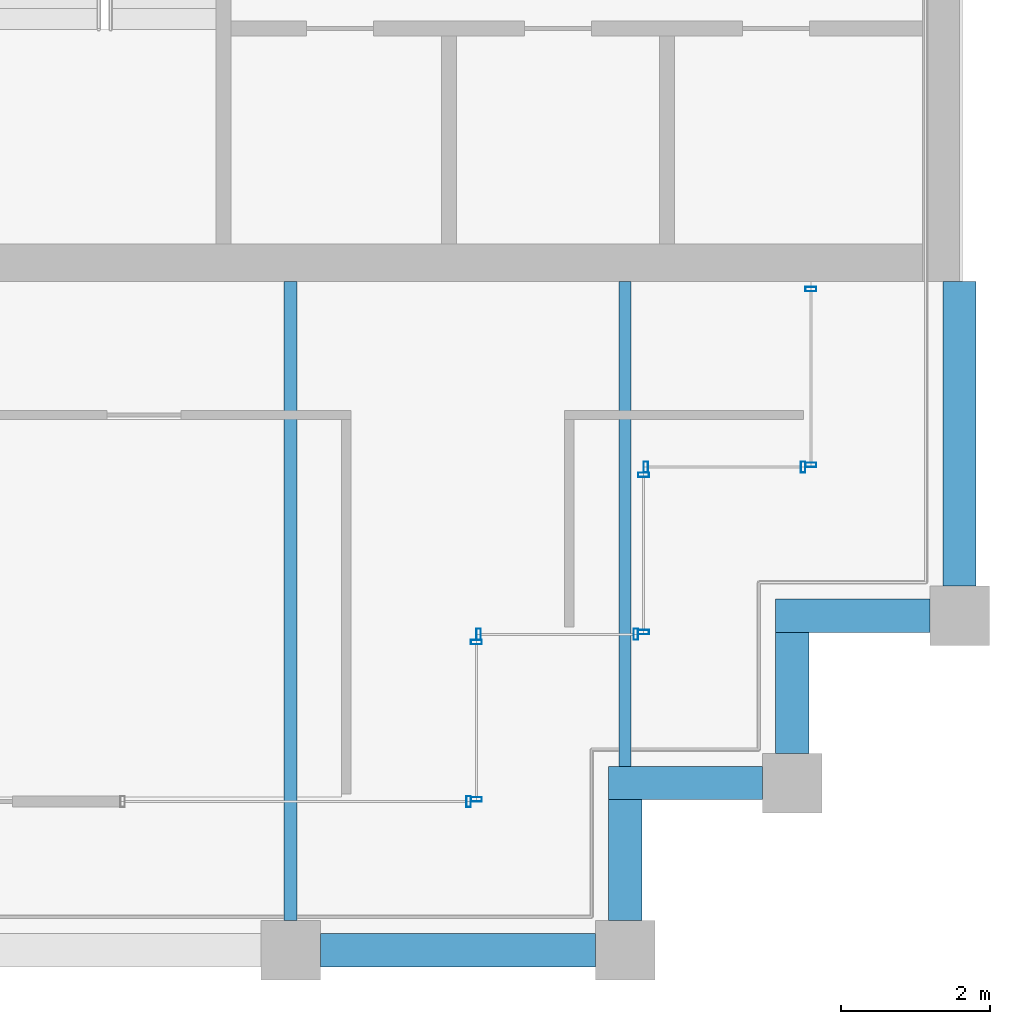
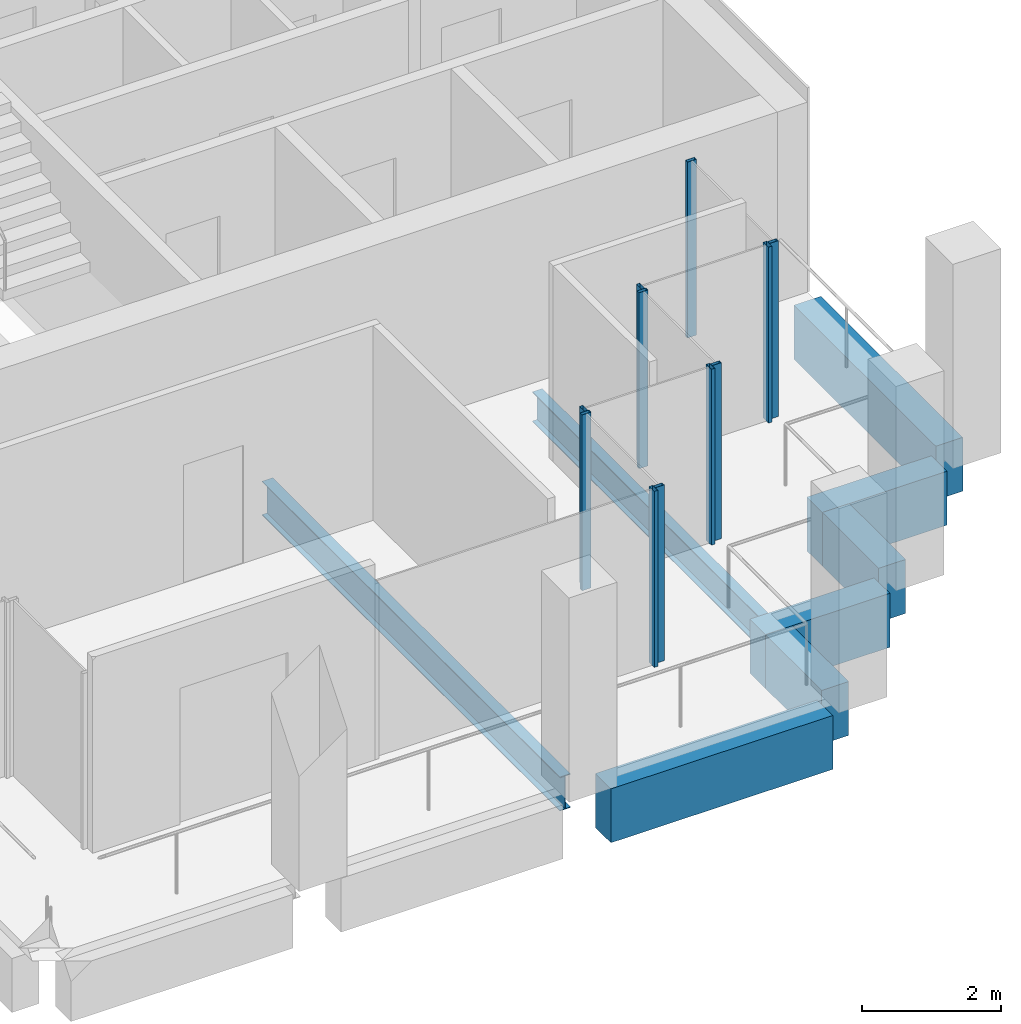
# One storey, part 31 of 40: 11 members, 8 beams, 6 elements without a shape of their own.
"""IFC4 building model written with IfcOpenShell, lengths in metres."""

from ifc_helpers import new_model, si_unit, direction, frame, origin, origin_2d, place, context, subcontext, project, spatial, rectangle, hollow_rectangle, i_section, extrude, material, material_profile, profile_set, type_object, element, aggregate, save


model = new_model("IFC4")

# Units and contexts
model_context = context("Model", 3, precision=1e-05, world=origin(), true_north=direction((0.0, 1.0)))
body_context = subcontext(model_context, "Body", "Model", "MODEL_VIEW")
ifc_project = project(units=[si_unit("LENGTHUNIT", "METRE"), si_unit("AREAUNIT", "SQUARE_METRE"), si_unit("VOLUMEUNIT", "CUBIC_METRE"), si_unit("PLANEANGLEUNIT", "RADIAN"), si_unit("MASSUNIT", "GRAM", prefix="KILO")], contexts=[model_context])

# Site, building, storey
site_placement = place(None, origin())
site = spatial("IfcSite", under=ifc_project, at=site_placement, CompositionType="ELEMENT")
building_placement = place(site_placement, origin())
building = spatial("IfcBuilding", under=site, at=building_placement, Name="Altepetl Exchange Towers", CompositionType="ELEMENT")
storey_placement = place(building_placement, frame((0.0, 0.0, 199.199951171875)))
storey = spatial("IfcBuildingStorey", under=building, at=storey_placement, Name="L50", CompositionType="ELEMENT", Elevation=199.199951171875)

# Beams
ifc_material_1 = material(Name="Steel S355", Category="steel")
ifc_material_profile_1 = material_profile(ifc_material_1, i_section(OverallWidth=0.166015625, OverallDepth=0.529052734375, WebThickness=0.009765625, FlangeThickness=0.013671875, at=origin_2d()), Name="W21X50")
ifc_profile_set_1 = profile_set([ifc_material_profile_1], Name="Steel S355")
beam_type_1 = type_object("IfcBeamType", Name="Floor beam W21X50", PredefinedType="BEAM", material=ifc_profile_set_1)
beam_1_placement = place(storey_placement, frame((112.5, 29.47509765625, -0.41455078125), z_axis=(0.0, 1.0, 0.0), x_axis=(-1.0, 0.0, 0.0)))
element("IfcBeam", 1, at=beam_1_placement, inside=storey, type_object=beam_type_1, Name="bm:B:L50:003", PredefinedType="BEAM", context=body_context, shape_type="SweptSolid", body=[
    extrude(i_section(OverallWidth=0.166015625, OverallDepth=0.529052734375, WebThickness=0.009765625, FlangeThickness=0.013671875, at=origin_2d()), origin(), (0.0, 0.0, 1.0), 6.52490234375),
])
ifc_material_profile_2 = material_profile(ifc_material_1, i_section(OverallWidth=0.177978515625, OverallDepth=0.59912109375, WebThickness=0.010009765625, FlangeThickness=0.0126953125, at=origin_2d()), Name="W24X55")
ifc_profile_set_2 = profile_set([ifc_material_profile_2], Name="Steel S355")
beam_type_2 = type_object("IfcBeamType", Name="Floor beam W24X55", PredefinedType="BEAM", material=ifc_profile_set_2)
beam_2_placement = place(storey_placement, frame((108.0, 27.39990234375, -0.449462890625), z_axis=(0.0, 1.0, 0.0), x_axis=(-1.0, 0.0, 0.0)))
element("IfcBeam", 2, at=beam_2_placement, inside=storey, type_object=beam_type_2, Name="bm:B:L50:002", PredefinedType="BEAM", context=body_context, shape_type="SweptSolid", body=[
    extrude(i_section(OverallWidth=0.177978515625, OverallDepth=0.59912109375, WebThickness=0.010009765625, FlangeThickness=0.0126953125, at=origin_2d()), origin(), (0.0, 0.0, 1.0), 8.60009765625),
])

# Curtain wall, member
ifc_material_2 = material(Name="Aluminium 6063-T6 glazing", Category="aluminium")
curtain_wall_type = type_object("IfcCurtainWallType", Name="Loggia glazing system", PredefinedType="NOTDEFINED", material=ifc_material_2)
curtain_wall_1_placement = place(storey_placement, origin())
curtain_wall_1 = element("IfcCurtainWall", 3, at=curtain_wall_1_placement, inside=storey, type_object=curtain_wall_type, Name="CW1 run", PredefinedType="NOTDEFINED")
ifc_material_3 = material(Name="Aluminium 6063-T6", Category="aluminium")
ifc_material_profile_3 = material_profile(ifc_material_3, hollow_rectangle(XDim=0.06005859375, YDim=0.14990234375, WallThickness=0.0029296875, at=origin_2d()), Name="Mullion 60x150 aluminium")
ifc_profile_set_3 = profile_set([ifc_material_profile_3], Name="Aluminium 6063-T6")
member_type = type_object("IfcMemberType", Name="Mullion 60x150 aluminium", PredefinedType="MULLION", material=ifc_profile_set_3)
member_1_placement = place(storey_placement, frame((110.39501953125, 29.0, 0.0)))
member_1 = element("IfcMember", 4, at=member_1_placement, type_object=member_type, Name="MU1 mullion", PredefinedType="MULLION", context=body_context, shape_type="SweptSolid", body=[
    extrude(hollow_rectangle(XDim=0.06005859375, YDim=0.14990234375, WallThickness=0.0029296875, at=origin_2d()), origin(), (0.0, 0.0, 1.0), 3.10009765625),
])
aggregate(curtain_wall_1, [member_1])

# Curtain wall, members
curtain_wall_2_placement = place(storey_placement, origin())
curtain_wall_2 = element("IfcCurtainWall", 5, at=curtain_wall_2_placement, inside=storey, type_object=curtain_wall_type, Name="CW1 run", PredefinedType="NOTDEFINED")
member_2_placement = place(storey_placement, frame((110.5, 29.030029296875, 0.0), z_axis=(0.0, 0.0, 1.0), x_axis=(0.0, 1.0, 0.0)))
member_2 = element("IfcMember", 6, at=member_2_placement, type_object=member_type, Name="MU1 mullion", PredefinedType="MULLION", context=body_context, shape_type="SweptSolid", body=[
    extrude(hollow_rectangle(XDim=0.06005859375, YDim=0.14990234375, WallThickness=0.0029296875, at=origin_2d()), origin(), (0.0, 0.0, 1.0), 3.10009765625),
])
member_3_placement = place(storey_placement, frame((110.5, 31.14501953125, 0.0), z_axis=(0.0, 0.0, 1.0), x_axis=(0.0, 1.0, 0.0)))
member_3 = element("IfcMember", 7, at=member_3_placement, type_object=member_type, Name="MU1 mullion", PredefinedType="MULLION", context=body_context, shape_type="SweptSolid", body=[
    extrude(hollow_rectangle(XDim=0.06005859375, YDim=0.14990234375, WallThickness=0.0029296875, at=origin_2d()), origin(), (0.0, 0.0, 1.0), 3.10009765625),
])
aggregate(curtain_wall_2, [member_2, member_3])

curtain_wall_3_placement = place(storey_placement, origin())
curtain_wall_3 = element("IfcCurtainWall", 8, at=curtain_wall_3_placement, inside=storey, type_object=curtain_wall_type, Name="CW1 run", PredefinedType="NOTDEFINED")
member_4_placement = place(storey_placement, frame((110.530029296875, 31.25, 0.0)))
member_4 = element("IfcMember", 9, at=member_4_placement, type_object=member_type, Name="MU1 mullion", PredefinedType="MULLION", context=body_context, shape_type="SweptSolid", body=[
    extrude(hollow_rectangle(XDim=0.06005859375, YDim=0.14990234375, WallThickness=0.0029296875, at=origin_2d()), origin(), (0.0, 0.0, 1.0), 3.10009765625),
])
member_5_placement = place(storey_placement, frame((112.64501953125, 31.25, 0.0)))
member_5 = element("IfcMember", 10, at=member_5_placement, type_object=member_type, Name="MU1 mullion", PredefinedType="MULLION", context=body_context, shape_type="SweptSolid", body=[
    extrude(hollow_rectangle(XDim=0.06005859375, YDim=0.14990234375, WallThickness=0.0029296875, at=origin_2d()), origin(), (0.0, 0.0, 1.0), 3.10009765625),
])
aggregate(curtain_wall_3, [member_4, member_5])

curtain_wall_4_placement = place(storey_placement, origin())
curtain_wall_4 = element("IfcCurtainWall", 11, at=curtain_wall_4_placement, inside=storey, type_object=curtain_wall_type, Name="CW1 run", PredefinedType="NOTDEFINED")
member_6_placement = place(storey_placement, frame((112.75, 31.280029296875, 0.0), z_axis=(0.0, 0.0, 1.0), x_axis=(0.0, 1.0, 0.0)))
member_6 = element("IfcMember", 12, at=member_6_placement, type_object=member_type, Name="MU1 mullion", PredefinedType="MULLION", context=body_context, shape_type="SweptSolid", body=[
    extrude(hollow_rectangle(XDim=0.06005859375, YDim=0.14990234375, WallThickness=0.0029296875, at=origin_2d()), origin(), (0.0, 0.0, 1.0), 3.10009765625),
])
member_7_placement = place(storey_placement, frame((112.75, 33.39501953125, 0.0), z_axis=(0.0, 0.0, 1.0), x_axis=(0.0, 1.0, 0.0)))
member_7 = element("IfcMember", 13, at=member_7_placement, type_object=member_type, Name="MU1 mullion", PredefinedType="MULLION", context=body_context, shape_type="SweptSolid", body=[
    extrude(hollow_rectangle(XDim=0.06005859375, YDim=0.14990234375, WallThickness=0.0029296875, at=origin_2d()), origin(), (0.0, 0.0, 1.0), 3.10009765625),
])
aggregate(curtain_wall_4, [member_6, member_7])

curtain_wall_5_placement = place(storey_placement, origin())
curtain_wall_5 = element("IfcCurtainWall", 14, at=curtain_wall_5_placement, inside=storey, type_object=curtain_wall_type, Name="CW1 run", PredefinedType="NOTDEFINED")
member_8_placement = place(storey_placement, frame((112.780029296875, 33.5, 0.0)))
member_8 = element("IfcMember", 15, at=member_8_placement, type_object=member_type, Name="MU1 mullion", PredefinedType="MULLION", context=body_context, shape_type="SweptSolid", body=[
    extrude(hollow_rectangle(XDim=0.06005859375, YDim=0.14990234375, WallThickness=0.0029296875, at=origin_2d()), origin(), (0.0, 0.0, 1.0), 3.10009765625),
])
member_9_placement = place(storey_placement, frame((114.89501953125, 33.5, 0.0)))
member_9 = element("IfcMember", 16, at=member_9_placement, type_object=member_type, Name="MU1 mullion", PredefinedType="MULLION", context=body_context, shape_type="SweptSolid", body=[
    extrude(hollow_rectangle(XDim=0.06005859375, YDim=0.14990234375, WallThickness=0.0029296875, at=origin_2d()), origin(), (0.0, 0.0, 1.0), 3.10009765625),
])
aggregate(curtain_wall_5, [member_8, member_9])

curtain_wall_6_placement = place(storey_placement, origin())
curtain_wall_6 = element("IfcCurtainWall", 17, at=curtain_wall_6_placement, inside=storey, type_object=curtain_wall_type, Name="CW1 run", PredefinedType="NOTDEFINED")
member_10_placement = place(storey_placement, frame((115.0, 33.530029296875, 0.0), z_axis=(0.0, 0.0, 1.0), x_axis=(0.0, 1.0, 0.0)))
member_10 = element("IfcMember", 18, at=member_10_placement, type_object=member_type, Name="MU1 mullion", PredefinedType="MULLION", context=body_context, shape_type="SweptSolid", body=[
    extrude(hollow_rectangle(XDim=0.06005859375, YDim=0.14990234375, WallThickness=0.0029296875, at=origin_2d()), origin(), (0.0, 0.0, 1.0), 3.10009765625),
])
member_11_placement = place(storey_placement, frame((115.0, 35.89501953125, 0.0), z_axis=(0.0, 0.0, 1.0), x_axis=(0.0, 1.0, 0.0)))
member_11 = element("IfcMember", 19, at=member_11_placement, type_object=member_type, Name="MU1 mullion", PredefinedType="MULLION", context=body_context, shape_type="SweptSolid", body=[
    extrude(hollow_rectangle(XDim=0.06005859375, YDim=0.14990234375, WallThickness=0.0029296875, at=origin_2d()), origin(), (0.0, 0.0, 1.0), 3.10009765625),
])
aggregate(curtain_wall_6, [member_10, member_11])

# Beams
ifc_material_4 = material(Name="Concrete C50/60 precast with cantera blanca facing", Category="concrete")
ifc_material_profile_4 = material_profile(ifc_material_4, rectangle(XDim=0.449951171875, YDim=0.949951171875, at=origin_2d()), Name="450 x 950")
ifc_profile_set_4 = profile_set([ifc_material_profile_4], Name="Concrete C50/60 precast with cantera blanca facing")
beam_type_3 = type_object("IfcBeamType", Name="Spandrel beam 450x950 cantera blanca", PredefinedType="SPANDREL", material=ifc_profile_set_4)
beam_3_placement = place(storey_placement, frame((117.0, 31.89990234375, -0.625), z_axis=(0.0, 1.0, 0.0), x_axis=(-1.0, 0.0, 0.0)))
element("IfcBeam", 20, at=beam_3_placement, inside=storey, type_object=beam_type_3, Name="sp:B:L50:007", PredefinedType="SPANDREL", context=body_context, shape_type="SweptSolid", body=[
    extrude(rectangle(XDim=0.449951171875, YDim=0.949951171875, at=origin_2d()), origin(), (0.0, 0.0, 1.0), 4.10009765625),
])
ifc_material_5 = material(Name="Concrete C50/60 precast with tezontle facing", Category="concrete")
ifc_material_profile_5 = material_profile(ifc_material_5, rectangle(XDim=0.449951171875, YDim=0.949951171875, at=origin_2d()), Name="450 x 950")
ifc_profile_set_5 = profile_set([ifc_material_profile_5], Name="Concrete C50/60 precast with tezontle facing")
beam_type_4 = type_object("IfcBeamType", Name="Spandrel beam 450x950 tezontle", PredefinedType="SPANDREL", material=ifc_profile_set_5)
beam_4_placement = place(storey_placement, frame((108.39990234375, 27.0, -0.625), z_axis=(1.0, 0.0, 0.0), x_axis=(0.0, 1.0, 0.0)))
element("IfcBeam", 21, at=beam_4_placement, inside=storey, type_object=beam_type_4, Name="sp:B:L50:002", PredefinedType="SPANDREL", context=body_context, shape_type="SweptSolid", body=[
    extrude(rectangle(XDim=0.449951171875, YDim=0.949951171875, at=origin_2d()), origin(), (0.0, 0.0, 1.0), 3.7001953125),
])
beam_5_placement = place(storey_placement, frame((112.5, 27.39990234375, -0.625), z_axis=(0.0, 1.0, 0.0), x_axis=(-1.0, 0.0, 0.0)))
element("IfcBeam", 22, at=beam_5_placement, inside=storey, type_object=beam_type_4, Name="sp:B:L50:003", PredefinedType="SPANDREL", context=body_context, shape_type="SweptSolid", body=[
    extrude(rectangle(XDim=0.449951171875, YDim=0.949951171875, at=origin_2d()), origin(), (0.0, 0.0, 1.0), 1.625),
])
beam_6_placement = place(storey_placement, frame((112.27490234375, 29.25, -0.625), z_axis=(1.0, 0.0, 0.0), x_axis=(0.0, 1.0, 0.0)))
element("IfcBeam", 23, at=beam_6_placement, inside=storey, type_object=beam_type_4, Name="sp:B:L50:004", PredefinedType="SPANDREL", context=body_context, shape_type="SweptSolid", body=[
    extrude(rectangle(XDim=0.449951171875, YDim=0.949951171875, at=origin_2d()), origin(), (0.0, 0.0, 1.0), 2.0751953125),
])
beam_7_placement = place(storey_placement, frame((114.75, 29.64990234375, -0.625), z_axis=(0.0, 1.0, 0.0), x_axis=(-1.0, 0.0, 0.0)))
element("IfcBeam", 24, at=beam_7_placement, inside=storey, type_object=beam_type_4, Name="sp:B:L50:005", PredefinedType="SPANDREL", context=body_context, shape_type="SweptSolid", body=[
    extrude(rectangle(XDim=0.449951171875, YDim=0.949951171875, at=origin_2d()), origin(), (0.0, 0.0, 1.0), 1.625),
])
beam_8_placement = place(storey_placement, frame((114.52490234375, 31.5, -0.625), z_axis=(1.0, 0.0, 0.0), x_axis=(0.0, 1.0, 0.0)))
element("IfcBeam", 25, at=beam_8_placement, inside=storey, type_object=beam_type_4, Name="sp:B:L50:006", PredefinedType="SPANDREL", context=body_context, shape_type="SweptSolid", body=[
    extrude(rectangle(XDim=0.449951171875, YDim=0.949951171875, at=origin_2d()), origin(), (0.0, 0.0, 1.0), 2.0751953125),
])

save(model, "model.ifc")
